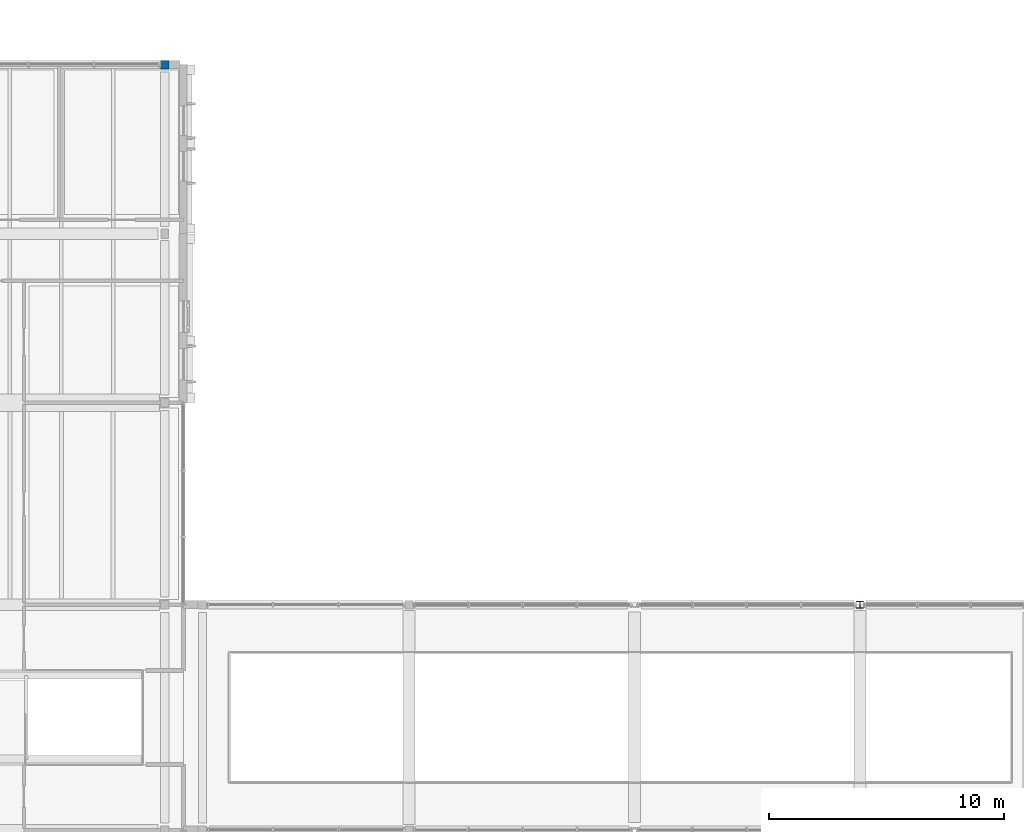
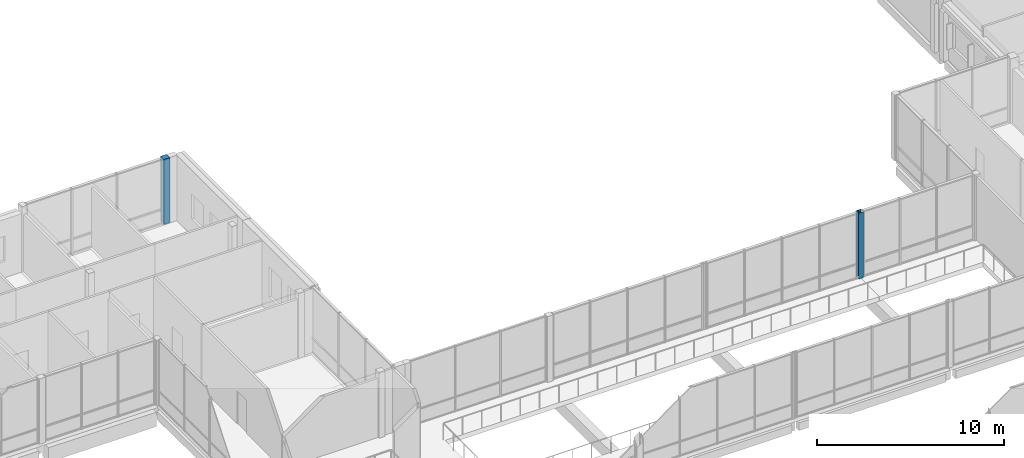
# One storey, part 13 of 146: 2 columns.
"""IFC4 building model written with IfcOpenShell, lengths in metres."""

from ifc_helpers import new_model, si_unit, direction, frame, origin, origin_2d, place, context, subcontext, project, spatial, rectangle, i_section, extrude, material, material_profile, profile_set, type_object, element, save


model = new_model("IFC4")

# Units and contexts
model_context = context("Model", 3, precision=1e-05, world=origin(), true_north=direction((0.0, 1.0)))
body_context = subcontext(model_context, "Body", "Model", "MODEL_VIEW")
ifc_project = project(units=[si_unit("LENGTHUNIT", "METRE"), si_unit("AREAUNIT", "SQUARE_METRE"), si_unit("VOLUMEUNIT", "CUBIC_METRE"), si_unit("PLANEANGLEUNIT", "RADIAN"), si_unit("MASSUNIT", "GRAM", prefix="KILO")], contexts=[model_context])

# Site, building, storey
site_placement = place(None, origin())
site = spatial("IfcSite", under=ifc_project, at=site_placement, CompositionType="ELEMENT")
building_placement = place(site_placement, origin())
building = spatial("IfcBuilding", under=site, at=building_placement, Name="Hawrajan Terrace Health Centre", CompositionType="ELEMENT")
storey_placement = place(building_placement, frame((0.0, 0.0, 4.5)))
storey = spatial("IfcBuildingStorey", under=building, at=storey_placement, Name="L01", CompositionType="ELEMENT", Elevation=4.5)

# Columns
ifc_material_1 = material(Name="Glulam GL32h", Category="wood")
ifc_material_profile_1 = material_profile(ifc_material_1, rectangle(XDim=0.360107421875, YDim=0.360107421875, at=origin_2d()), Name="GL 360x360")
ifc_profile_set_1 = profile_set([ifc_material_profile_1], Name="Glulam GL32h")
column_type_1 = type_object("IfcColumnType", Name="GlulamCol_360x360", PredefinedType="COLUMN", material=ifc_profile_set_1)
column_1_placement = place(storey_placement, frame((71.0, 59.800048828125, 0.0), z_axis=(0.0, 0.0, 1.0), x_axis=(1.0, 0.0, 0.0)))
element("IfcColumn", 1, at=column_1_placement, inside=storey, type_object=column_type_1, Name="Column COL-L01-W-X10-Y8", PredefinedType="COLUMN", context=body_context, shape_type="SweptSolid", body=[
    extrude(rectangle(XDim=0.360107421875, YDim=0.360107421875, at=origin_2d()), origin(), (0.0, 0.0, 1.0), 4.260009765625),
])
ifc_material_2 = material(Name="Steel S355", Category="steel")
ifc_material_profile_2 = material_profile(ifc_material_2, i_section(OverallWidth=0.300048828125, OverallDepth=0.300048828125, WebThickness=0.010986328125, FlangeThickness=0.01904296875, FilletRadius=0.027099609375, at=origin_2d()), Name="HEB 300")
ifc_profile_set_2 = profile_set([ifc_material_profile_2], Name="Steel S355")
column_type_2 = type_object("IfcColumnType", Name="SteelCol_HEB300", PredefinedType="COLUMN", material=ifc_profile_set_2)
column_2_placement = place(storey_placement, frame((100.60009765625, 36.800048828125, 0.0), z_axis=(0.0, 0.0, 1.0), x_axis=(1.0, 0.0, 0.0)))
element("IfcColumn", 2, at=column_2_placement, inside=storey, type_object=column_type_2, Name="Column COL-L01-C-X13-Y5", PredefinedType="COLUMN", context=body_context, shape_type="SweptSolid", body=[
    extrude(i_section(OverallWidth=0.300048828125, OverallDepth=0.300048828125, WebThickness=0.010986328125, FlangeThickness=0.01904296875, FilletRadius=0.027099609375, at=origin_2d()), origin(), (0.0, 0.0, 1.0), 4.300048828125),
])

save(model, "model.ifc")
